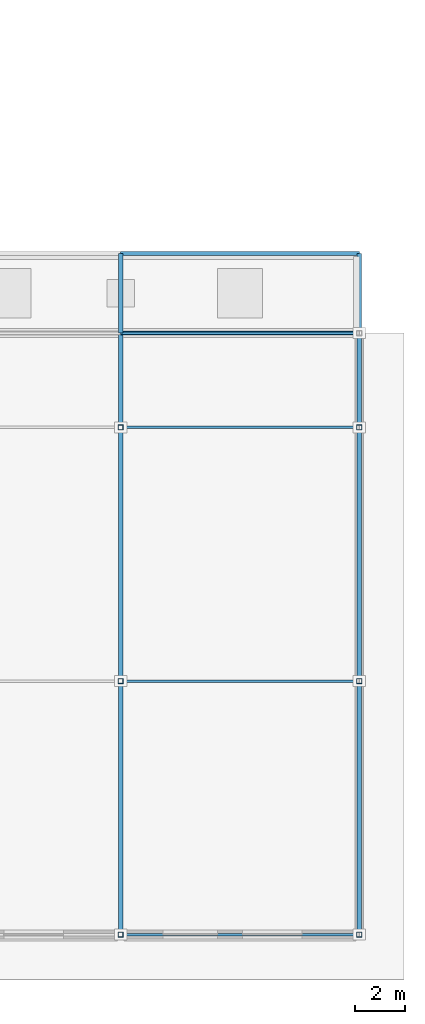
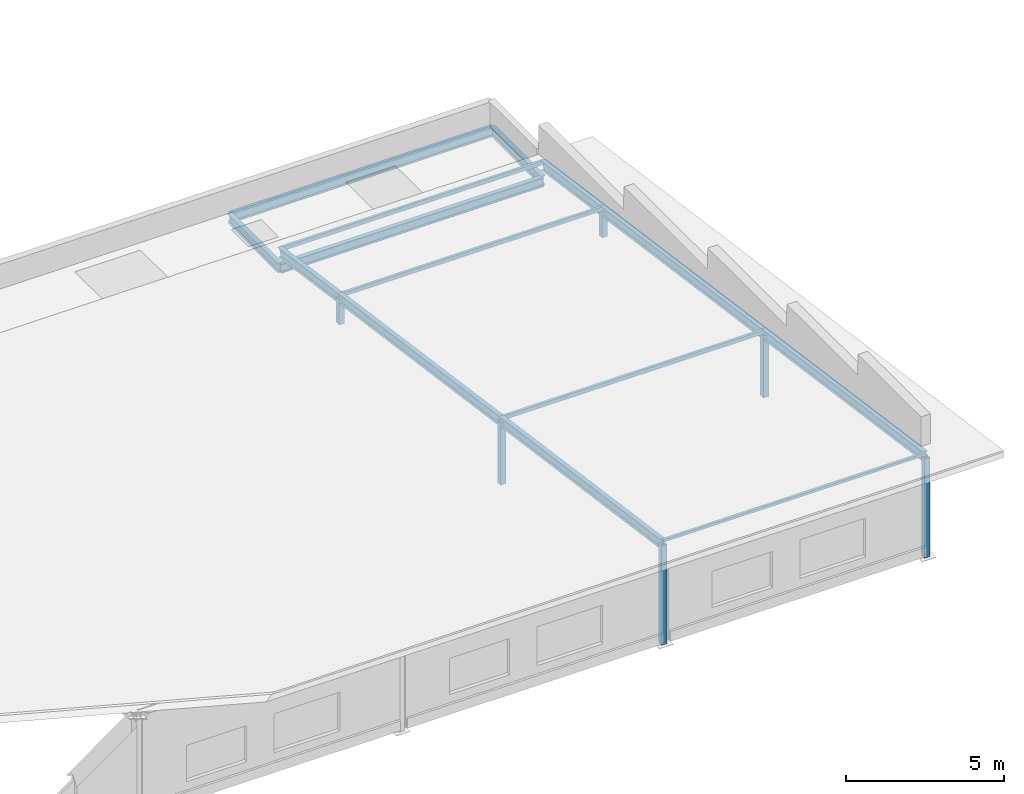
# One storey, part 31 of 70: 12 members, 4 beams.
"""IFC4 building model written with IfcOpenShell, lengths in metres."""

import ifcopenshell
import ifcopenshell.guid

model = None  # the IFC model being written
_history = None  # IfcOwnerHistory: only IFC2X3 demands one
_inside = {}  # id of a spatial element -> (the spatial element, [elements in it])
_under = {}  # id of a project, library or spatial element -> (it, [spatial elements below it])
_declared = {}  # id of a project -> (the project, [libraries it declares])
_typed = {}  # id of a type object -> (the type object, [elements of that type])
_made_of = {}  # id of a material, layer set ... -> (it, [elements and type objects made of it])


def new_model(schema):
    """Start an empty IFC model of exactly this schema.

    Asked for "IFC4X3", IfcOpenShell would pick the latest addendum, in which some entities
    have other attributes; the version numbers below select the first issue.
    IFC2X3 requires an IfcOwnerHistory on every rooted entity: one is made here for all.
    """
    global model, _history
    if schema == "IFC4X3":
        model = ifcopenshell.file(schema_version=(4, 3, 0, 0))
    else:
        model = ifcopenshell.file(schema=schema)
    _inside.clear()
    _under.clear()
    _declared.clear()
    _typed.clear()
    _made_of.clear()
    _history = None
    if model.schema == "IFC2X3":
        org = make("IfcOrganization", Name="unknown")
        user = make(
            "IfcPersonAndOrganization",
            ThePerson=make("IfcPerson", FamilyName="unknown"),
            TheOrganization=org,
        )
        app = make(
            "IfcApplication",
            ApplicationDeveloper=org,
            Version="unknown",
            ApplicationFullName="unknown",
            ApplicationIdentifier="unknown",
        )
        _history = make(
            "IfcOwnerHistory",
            OwningUser=user,
            OwningApplication=app,
            ChangeAction="ADDED",
            CreationDate=0,
        )
    return model


def make(cls, **values):
    """One entity of the class cls with the attributes given. An attribute that is None is left unset."""
    return model.create_entity(
        cls, **{name: value for name, value in values.items() if value is not None}
    )


def rooted(cls, **values):
    """An entity with a GlobalId (a new one), such as an element, a storey or a relation."""
    return make(cls, GlobalId=ifcopenshell.guid.new(), OwnerHistory=_history, **values)


def si_unit(unit_type, name, prefix=None):
    """IfcSIUnit, for example si_unit("LENGTHUNIT", "METRE", prefix="MILLI")."""
    return make("IfcSIUnit", UnitType=unit_type, Prefix=prefix, Name=name)


def assignment(units):
    """IfcUnitAssignment: the units of a project."""
    return None if units is None else make("IfcUnitAssignment", Units=units)


def point(xyz):
    """IfcCartesianPoint."""
    return None if xyz is None else make("IfcCartesianPoint", Coordinates=xyz)


def direction(xyz):
    """IfcDirection."""
    return None if xyz is None else make("IfcDirection", DirectionRatios=xyz)


def frame(location, z_axis=None, x_axis=None):
    """IfcAxis2Placement3D, a coordinate frame: its origin and axes. An axis left out is left unset."""
    return make(
        "IfcAxis2Placement3D",
        Location=point(location),
        Axis=direction(z_axis),
        RefDirection=direction(x_axis),
    )


def frame_2d(location, x_axis=None):
    """IfcAxis2Placement2D, a coordinate frame in the plane: its origin and x axis."""
    return make(
        "IfcAxis2Placement2D", Location=point(location), RefDirection=direction(x_axis)
    )


def origin():
    """The frame at (0, 0, 0) with its axes left unset."""
    return frame((0.0, 0.0, 0.0))


def origin_2d():
    """The frame at (0, 0) in the plane with its x axis left unset."""
    return frame_2d((0.0, 0.0))


def place(relative_to, where):
    """IfcLocalPlacement: puts the frame where relative to a parent placement (None: the world)."""
    return make(
        "IfcLocalPlacement", PlacementRelTo=relative_to, RelativePlacement=where
    )


def context(
    kind, dimensions, precision=None, world=None, true_north=None, identifier=None
):
    """IfcGeometricRepresentationContext, for example the 3D "Model" context."""
    return make(
        "IfcGeometricRepresentationContext",
        ContextIdentifier=identifier,
        ContextType=kind,
        CoordinateSpaceDimension=dimensions,
        Precision=precision,
        WorldCoordinateSystem=world,
        TrueNorth=true_north,
    )


def subcontext(parent, identifier, kind, view, scale=None):
    """IfcGeometricRepresentationSubContext, for example "Body" below "Model"."""
    return make(
        "IfcGeometricRepresentationSubContext",
        ContextIdentifier=identifier,
        ContextType=kind,
        ParentContext=parent,
        TargetScale=scale,
        TargetView=view,
    )


def project(units=None, contexts=None):
    """IfcProject with its units and contexts."""
    return rooted(
        "IfcProject",
        Name="project",
        RepresentationContexts=contexts,
        UnitsInContext=assignment(units),
    )


def spatial(cls, under=None, at=None, **own):
    """A site, building, storey or space (cls), placed at a placement, below another one or the project."""
    s = rooted(cls, ObjectPlacement=at, **own)
    if under is not None:
        _under.setdefault(under.id(), (under, []))[1].append(s)
    return s


def profile(cls, at=None, kind="AREA", **sizes):
    """A parametric profile (cls). Its sizes go by their IFC names, for example OverallWidth=200.0."""
    return make(cls, ProfileType=kind, Position=at, **sizes)


def hollow_rectangle(**sizes):
    """IfcRectangleHollowProfileDef."""
    return profile("IfcRectangleHollowProfileDef", **sizes)


def i_section(**sizes):
    """IfcIShapeProfileDef."""
    return profile("IfcIShapeProfileDef", **sizes)


def extrude(swept, where, along, depth):
    """IfcExtrudedAreaSolid: the profile swept, set in the frame where, extruded along a direction by depth."""
    return make(
        "IfcExtrudedAreaSolid",
        SweptArea=swept,
        Position=where,
        ExtrudedDirection=direction(along),
        Depth=depth,
    )


def shape(context_of_items, identifier, shape_type, items):
    """IfcShapeRepresentation: the items that make up one representation, for example the "Body"."""
    return make(
        "IfcShapeRepresentation",
        ContextOfItems=context_of_items,
        RepresentationIdentifier=identifier,
        RepresentationType=shape_type,
        Items=items,
    )


def material(Name=None, Category=None):
    """IfcMaterial."""
    return make("IfcMaterial", Name=Name, Category=Category)


def material_profile(
    of_material, cross_section, Name=None, Category=None, Priority=None
):
    """IfcMaterialProfile: a cross section and its material."""
    return make(
        "IfcMaterialProfile",
        Name=Name,
        Material=of_material,
        Profile=cross_section,
        Priority=Priority,
        Category=Category,
    )


def profile_set(profiles, Name=None, composite=None):
    """IfcMaterialProfileSet."""
    return make(
        "IfcMaterialProfileSet",
        Name=Name,
        MaterialProfiles=profiles,
        CompositeProfile=composite,
    )


def made_of(thing, what):
    """Note that an element or type object is made of a material, layer set ...; save() writes the relation."""
    if what is not None:
        _made_of.setdefault(what.id(), (what, []))[1].append(thing)
    return thing


def type_object(cls, material=None, **own):
    """A type object (cls), such as IfcWallType, which elements share."""
    return made_of(rooted(cls, **own), material)


def element(
    cls,
    number,
    at=None,
    inside=None,
    cuts=None,
    type_object=None,
    material=None,
    context=None,
    identifier="Body",
    shape_type=None,
    held_by="IfcProductDefinitionShape",
    body=None,
    shapes=None,
    **own,
):
    """One element of the class cls, such as IfcWall. Its Tag is "e" and its number.

    at: its placement. inside: the storey or other place that contains it. cuts: it is an
    opening in that element (IfcRelVoidsElement). A single representation is given by context,
    identifier, shape_type and body (its items); several are given by shapes. held_by: the class
    of the entity that holds the representations. save() writes the other relations.
    """
    e = rooted(cls, Tag="e%d" % number, ObjectPlacement=at, **own)
    if body is not None:
        shapes = [shape(context, identifier, shape_type, body)]
    if shapes is not None:
        e.Representation = make(held_by, Representations=shapes)
    if inside is not None:
        _inside.setdefault(inside.id(), (inside, []))[1].append(e)
    if cuts is not None:
        rooted(
            "IfcRelVoidsElement", RelatingBuildingElement=cuts, RelatedOpeningElement=e
        )
    if type_object is not None:
        _typed.setdefault(type_object.id(), (type_object, []))[1].append(e)
    return made_of(e, material)


def aggregate(whole, parts):
    """IfcRelAggregates: a whole, such as a stair, and the parts it consists of."""
    return rooted("IfcRelAggregates", RelatingObject=whole, RelatedObjects=parts)


def save(model, path):
    """Write the relations noted so far, then the file.

    IfcRelAggregates (storeys below a building ...), IfcRelContainedInSpatialStructure (elements
    in a storey), IfcRelDefinesByType, IfcRelAssociatesMaterial and IfcRelDeclares: one each for
    every whole, place, type object, material and project.
    """
    for whole, parts in _under.values():
        aggregate(whole, parts)
    for where, things in _inside.values():
        rooted(
            "IfcRelContainedInSpatialStructure",
            RelatedElements=things,
            RelatingStructure=where,
        )
    for kind, things in _typed.values():
        rooted("IfcRelDefinesByType", RelatedObjects=things, RelatingType=kind)
    for what, things in _made_of.values():
        rooted("IfcRelAssociatesMaterial", RelatedObjects=things, RelatingMaterial=what)
    for by, libraries in _declared.values():
        rooted("IfcRelDeclares", RelatingContext=by, RelatedDefinitions=libraries)
    model.write(path)


model = new_model("IFC4")

# Units and contexts
model_context = context("Model", 3, precision=1e-05, world=origin(), true_north=direction((0.0, 1.0)))
body_context = subcontext(model_context, "Body", "Model", "MODEL_VIEW")
ifc_project = project(units=[si_unit("LENGTHUNIT", "METRE"), si_unit("AREAUNIT", "SQUARE_METRE"), si_unit("VOLUMEUNIT", "CUBIC_METRE"), si_unit("PLANEANGLEUNIT", "RADIAN"), si_unit("MASSUNIT", "GRAM", prefix="KILO")], contexts=[model_context])

# Site, building, storey
site_placement = place(None, origin())
site = spatial("IfcSite", under=ifc_project, at=site_placement, CompositionType="ELEMENT")
building_placement = place(site_placement, origin())
building = spatial("IfcBuilding", under=site, at=building_placement, Name="Vondelvale Polytechnic", CompositionType="ELEMENT")
storey_placement = place(building_placement, frame((0.0, 0.0, 22.199951171875)))
storey = spatial("IfcBuildingStorey", under=building, at=storey_placement, Name="L05", CompositionType="ELEMENT", Elevation=22.199951171875)

# Beams
ifc_material_1 = material(Name="Steel 300PLUS (fy = 300 MPa)", Category="steel")
ifc_material_profile_1 = material_profile(ifc_material_1, i_section(OverallWidth=0.172119140625, OverallDepth=0.35888671875, WebThickness=0.008056640625, FlangeThickness=0.012939453125, FilletRadius=0.011474609375, at=origin_2d()), Name="360UB56.7")
ifc_profile_set_1 = profile_set([ifc_material_profile_1], Name="Steel 300PLUS (fy = 300 MPa)")
beam_type = type_object("IfcBeamType", Name="BM-UB360H", PredefinedType="BEAM", material=ifc_profile_set_1)
for number, where, z_axis, x_axis, name in (
    (1, (163.199951171875, 24.199951171875, -0.359375), (1.0, 0.0, 0.0), (0.0, 1.0, 0.0), "L05 RM B-15"),
    (2, (163.199951171875, 27.39990234375, -0.359375), (1.0, 0.0, 0.0), (0.0, 1.0, 0.0), "L05 RM B-15"),
):
    element("IfcBeam", number, at=place(storey_placement, frame(where, z_axis=z_axis, x_axis=x_axis)), inside=storey, type_object=beam_type, Name=name, PredefinedType="BEAM", context=body_context, shape_type="SweptSolid", body=[
        extrude(i_section(OverallWidth=0.172119140625, OverallDepth=0.35888671875, WebThickness=0.008056640625, FlangeThickness=0.012939453125, FilletRadius=0.011474609375, at=origin_2d()), origin(), (0.0, 0.0, 1.0), 9.60009765625),
    ])
for number, where, z_axis, x_axis, name in (
    (3, (163.199951171875, 24.199951171875, -0.359375), (0.0, 1.0, 0.0), (-1.0, 0.0, 0.0), "L05 RM B-15"),
    (4, (172.800048828125, 24.199951171875, -0.359375), (0.0, 1.0, 0.0), (-1.0, 0.0, 0.0), "L05 RM B-15"),
):
    element("IfcBeam", number, at=place(storey_placement, frame(where, z_axis=z_axis, x_axis=x_axis)), inside=storey, type_object=beam_type, Name=name, PredefinedType="BEAM", context=body_context, shape_type="SweptSolid", body=[
        extrude(i_section(OverallWidth=0.172119140625, OverallDepth=0.35888671875, WebThickness=0.008056640625, FlangeThickness=0.012939453125, FilletRadius=0.011474609375, at=origin_2d()), origin(), (0.0, 0.0, 1.0), 3.199951171875),
    ])

# Members
ifc_material_2 = material(Name="Steel C350L0 (fy = 350 MPa)", Category="steel")
ifc_material_profile_2 = material_profile(ifc_material_2, hollow_rectangle(XDim=0.10009765625, YDim=0.14990234375, WallThickness=0.0048828125, at=origin_2d()), Name="150x100x5.0RHS")
ifc_profile_set_2 = profile_set([ifc_material_profile_2], Name="Steel C350L0 (fy = 350 MPa)")
member_type_1 = type_object("IfcMemberType", Name="PURLIN RHS150", PredefinedType="PURLIN", material=ifc_profile_set_2)
for number, where, z_axis, x_axis, name in (
    (5, (163.199951171875, 10.199951171875, 2.33056640625), (1.0, 0.0, 0.0), (0.0, 1.0, 0.0), "Lecture wing roof purlin"),
    (6, (163.199951171875, 20.39990234375, 0.8984375), (1.0, 0.0, 0.0), (0.0, 1.0, 0.0), "Lecture wing roof purlin"),
    (7, (163.199951171875, 24.199951171875, 0.364990234375), (1.0, 0.0, 0.0), (0.0, 1.0, 0.0), "Lecture wing roof purlin"),
):
    element("IfcMember", number, at=place(storey_placement, frame(where, z_axis=z_axis, x_axis=x_axis)), inside=storey, type_object=member_type_1, Name=name, PredefinedType="PURLIN", context=body_context, shape_type="SweptSolid", body=[
        extrude(hollow_rectangle(XDim=0.10009765625, YDim=0.14990234375, WallThickness=0.0048828125, at=origin_2d()), origin(), (0.0, 0.0, 1.0), 9.60009765625),
    ])
ifc_material_profile_3 = material_profile(ifc_material_2, hollow_rectangle(XDim=0.10009765625, YDim=0.10009765625, WallThickness=0.0048828125, at=origin_2d()), Name="100x100x5.0SHS")
ifc_profile_set_3 = profile_set([ifc_material_profile_3], Name="Steel C350L0 (fy = 350 MPa)")
member_type_2 = type_object("IfcMemberType", Name="PURLIN SHS100", PredefinedType="PURLIN", material=ifc_profile_set_3)
member_1_placement = place(storey_placement, frame((163.199951171875, 0.0, 3.787353515625), z_axis=(1.0, 0.0, 0.0), x_axis=(0.0, 1.0, 0.0)))
element("IfcMember", 8, at=member_1_placement, inside=storey, type_object=member_type_2, Name="Lecture wing roof purlin", PredefinedType="PURLIN", context=body_context, shape_type="SweptSolid", body=[
    extrude(hollow_rectangle(XDim=0.10009765625, YDim=0.10009765625, WallThickness=0.0048828125, at=origin_2d()), origin(), (0.0, 0.0, 1.0), 9.60009765625),
])
ifc_material_profile_4 = material_profile(ifc_material_1, i_section(OverallWidth=0.172119140625, OverallDepth=0.35888671875, WebThickness=0.008056640625, FlangeThickness=0.012939453125, FilletRadius=0.011474609375, at=origin_2d()), Name="360UB56.7")
ifc_profile_set_4 = profile_set([ifc_material_profile_4], Name="Steel 300PLUS (fy = 300 MPa)")
member_type_3 = type_object("IfcMemberType", Name="RAFTER UB360", PredefinedType="RAFTER", material=ifc_profile_set_4)
for number, where, z_axis, x_axis, name in (
    (9, (163.199951171875, 0.0, 3.6591796875), (0.0, 0.990289851444, -0.139018020871), (-1.0, 0.0, 0.0), "Lecture wing raking roof rafter"),
    (10, (172.800048828125, 0.0, 3.6591796875), (0.0, 0.990289851444, -0.139018020871), (-1.0, 0.0, 0.0), "Lecture wing raking roof rafter"),
):
    element("IfcMember", number, at=place(storey_placement, frame(where, z_axis=z_axis, x_axis=x_axis)), inside=storey, type_object=member_type_3, Name=name, PredefinedType="RAFTER", context=body_context, shape_type="SweptSolid", body=[
        extrude(i_section(OverallWidth=0.172119140625, OverallDepth=0.35888671875, WebThickness=0.008056640625, FlangeThickness=0.012939453125, FilletRadius=0.011474609375, at=origin_2d()), origin(), (0.0, 0.0, 1.0), 24.437255859375),
    ])
ifc_material_profile_5 = material_profile(ifc_material_2, hollow_rectangle(XDim=0.199951171875, YDim=0.199951171875, WallThickness=0.009033203125, at=origin_2d()), Name="200x200x9.0SHS")
ifc_profile_set_5 = profile_set([ifc_material_profile_5], Name="Steel C350L0 (fy = 350 MPa)")
member_type_4 = type_object("IfcMemberType", Name="ROOF TRUSS POST 200SHS", PredefinedType="POST", material=ifc_profile_set_5)
member_2_placement = place(storey_placement, frame((163.199951171875, 0.0, -0.179931640625), z_axis=(0.0, 0.0, 1.0), x_axis=(1.0, 0.0, 0.0)))
element("IfcMember", 11, at=member_2_placement, inside=storey, type_object=member_type_4, Name="Lecture wing roof post", PredefinedType="POST", context=body_context, shape_type="SweptSolid", body=[
    extrude(hollow_rectangle(XDim=0.199951171875, YDim=0.199951171875, WallThickness=0.009033203125, at=origin_2d()), origin(), (0.0, 0.0, 1.0), 3.839111328125),
])
member_3_placement = place(storey_placement, frame((163.199951171875, 10.199951171875, -0.179931640625), z_axis=(0.0, 0.0, 1.0), x_axis=(1.0, 0.0, 0.0)))
element("IfcMember", 12, at=member_3_placement, inside=storey, type_object=member_type_4, Name="Lecture wing roof post", PredefinedType="POST", context=body_context, shape_type="SweptSolid", body=[
    extrude(hollow_rectangle(XDim=0.199951171875, YDim=0.199951171875, WallThickness=0.009033203125, at=origin_2d()), origin(), (0.0, 0.0, 1.0), 2.4072265625),
])
member_4_placement = place(storey_placement, frame((163.199951171875, 20.39990234375, -0.179931640625), z_axis=(0.0, 0.0, 1.0), x_axis=(1.0, 0.0, 0.0)))
element("IfcMember", 13, at=member_4_placement, inside=storey, type_object=member_type_4, Name="Lecture wing roof post", PredefinedType="POST", context=body_context, shape_type="SweptSolid", body=[
    extrude(hollow_rectangle(XDim=0.199951171875, YDim=0.199951171875, WallThickness=0.009033203125, at=origin_2d()), origin(), (0.0, 0.0, 1.0), 0.975341796875),
])
member_5_placement = place(storey_placement, frame((172.800048828125, 0.0, -0.179931640625), z_axis=(0.0, 0.0, 1.0), x_axis=(1.0, 0.0, 0.0)))
element("IfcMember", 14, at=member_5_placement, inside=storey, type_object=member_type_4, Name="Lecture wing roof post", PredefinedType="POST", context=body_context, shape_type="SweptSolid", body=[
    extrude(hollow_rectangle(XDim=0.199951171875, YDim=0.199951171875, WallThickness=0.009033203125, at=origin_2d()), origin(), (0.0, 0.0, 1.0), 3.839111328125),
])
member_6_placement = place(storey_placement, frame((172.800048828125, 10.199951171875, -0.179931640625), z_axis=(0.0, 0.0, 1.0), x_axis=(1.0, 0.0, 0.0)))
element("IfcMember", 15, at=member_6_placement, inside=storey, type_object=member_type_4, Name="Lecture wing roof post", PredefinedType="POST", context=body_context, shape_type="SweptSolid", body=[
    extrude(hollow_rectangle(XDim=0.199951171875, YDim=0.199951171875, WallThickness=0.009033203125, at=origin_2d()), origin(), (0.0, 0.0, 1.0), 2.4072265625),
])
member_7_placement = place(storey_placement, frame((172.800048828125, 20.39990234375, -0.179931640625), z_axis=(0.0, 0.0, 1.0), x_axis=(1.0, 0.0, 0.0)))
element("IfcMember", 16, at=member_7_placement, inside=storey, type_object=member_type_4, Name="Lecture wing roof post", PredefinedType="POST", context=body_context, shape_type="SweptSolid", body=[
    extrude(hollow_rectangle(XDim=0.199951171875, YDim=0.199951171875, WallThickness=0.009033203125, at=origin_2d()), origin(), (0.0, 0.0, 1.0), 0.975341796875),
])

save(model, "model.ifc")
